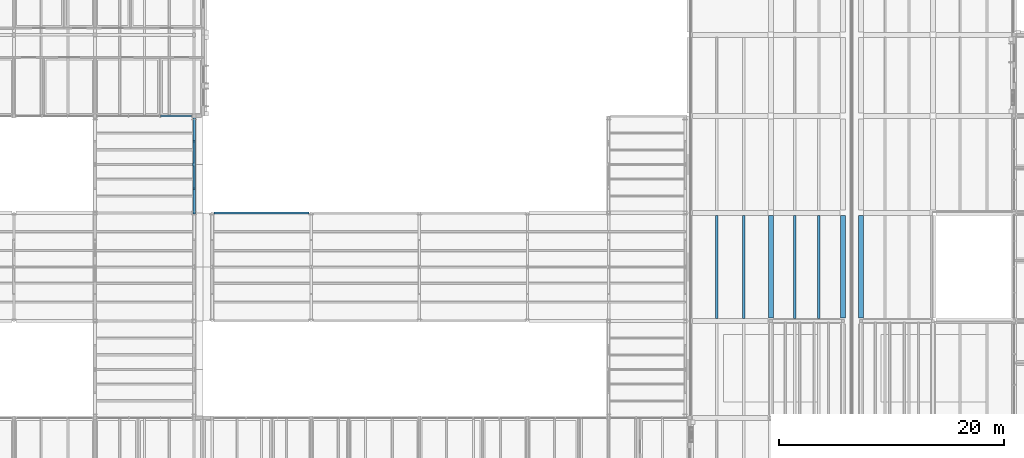
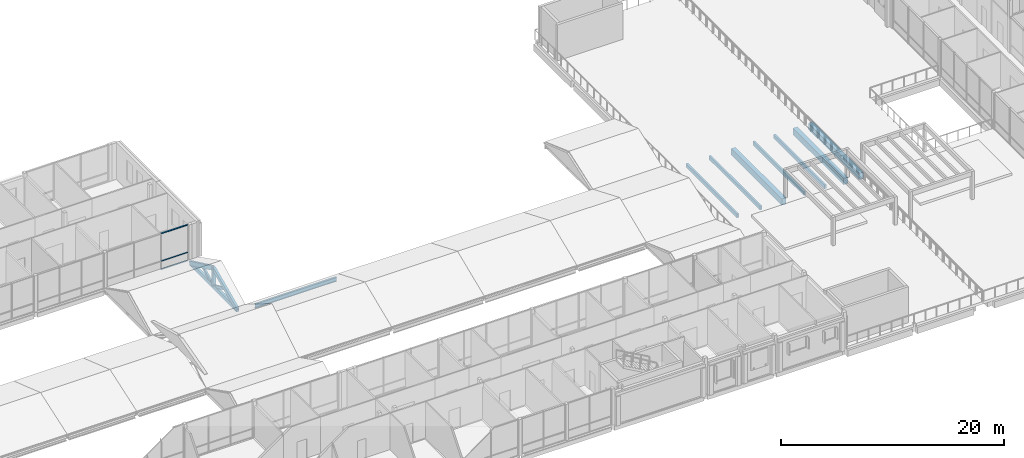
# One storey, part 43 of 115: 9 members, 8 beams, 1 element without a shape of its own.
"""IFC4 building model written with IfcOpenShell, lengths in metres."""

from ifc_helpers import new_model, si_unit, direction, frame, origin, origin_2d, place, context, subcontext, project, spatial, rectangle, hollow_rectangle, i_section, extrude, material, material_profile, profile_set, type_object, element, aggregate, save


model = new_model("IFC4")

# Units and contexts
model_context = context("Model", 3, precision=1e-05, world=origin(), true_north=direction((0.0, 1.0)))
body_context = subcontext(model_context, "Body", "Model", "MODEL_VIEW")
ifc_project = project(units=[si_unit("LENGTHUNIT", "METRE"), si_unit("AREAUNIT", "SQUARE_METRE"), si_unit("VOLUMEUNIT", "CUBIC_METRE"), si_unit("PLANEANGLEUNIT", "RADIAN"), si_unit("MASSUNIT", "GRAM", prefix="KILO")], contexts=[model_context])

# Site, building, storey
site_placement = place(None, origin())
site = spatial("IfcSite", under=ifc_project, at=site_placement, CompositionType="ELEMENT")
building_placement = place(site_placement, origin())
building = spatial("IfcBuilding", under=site, at=building_placement, Name="Hawrajan Terrace Health Centre", CompositionType="ELEMENT")
storey_placement = place(building_placement, frame((0.0, 0.0, 9.0)))
storey = spatial("IfcBuildingStorey", under=building, at=storey_placement, Name="L02", CompositionType="ELEMENT", Elevation=9.0)

# Curtain wall, members
ifc_material_1 = material(Name="Anodized bronze aluminium and low-E solar glazing", Category="aluminium")
curtain_wall_type = type_object("IfcCurtainWallType", Name="CW_Clerestory_SeriesG1", PredefinedType="USERDEFINED", material=ifc_material_1)
curtain_wall_placement = place(storey_placement, origin())
curtain_wall = element("IfcCurtainWall", 1, at=curtain_wall_placement, inside=storey, type_object=curtain_wall_type, Name="Curtain wall CW-L02-136", ObjectType="UNITISED CURTAIN WALL", PredefinedType="USERDEFINED")
ifc_material_2 = material(Name="Anodized bronze aluminium 6063-T6", Category="aluminium")
ifc_material_profile_1 = material_profile(ifc_material_2, hollow_rectangle(XDim=0.06494140625, YDim=0.14990234375, WallThickness=0.00390625, at=origin_2d()), Name="CW TRN 65x150")
ifc_profile_set_1 = profile_set([ifc_material_profile_1], Name="Anodized bronze aluminium 6063-T6")
member_type_1 = type_object("IfcMemberType", Name="CWTransom_65x150", PredefinedType="USERDEFINED", material=ifc_profile_set_1)
member_1_placement = place(storey_placement, frame((68.022216796875, 45.39990234375, 0.032470703125), z_axis=(1.0, 0.0, 0.0), x_axis=(0.0, 0.0, 1.0)))
member_1 = element("IfcMember", 2, at=member_1_placement, type_object=member_type_1, Name="Transom CW-L02-136-T3-1", ObjectType="TRANSOM", PredefinedType="USERDEFINED", context=body_context, shape_type="SweptSolid", body=[
    extrude(hollow_rectangle(XDim=0.06494140625, YDim=0.14990234375, WallThickness=0.00390625, at=origin_2d()), origin(), (0.0, 0.0, 1.0), 2.7587890625),
])
member_2_placement = place(storey_placement, frame((68.022216796875, 45.39990234375, 0.949951171875), z_axis=(1.0, 0.0, 0.0), x_axis=(0.0, 0.0, 1.0)))
member_2 = element("IfcMember", 3, at=member_2_placement, type_object=member_type_1, Name="Transom CW-L02-136-T3-2", ObjectType="TRANSOM", PredefinedType="USERDEFINED", context=body_context, shape_type="SweptSolid", body=[
    extrude(hollow_rectangle(XDim=0.06494140625, YDim=0.14990234375, WallThickness=0.00390625, at=origin_2d()), origin(), (0.0, 0.0, 1.0), 2.7587890625),
])
member_3_placement = place(storey_placement, frame((68.022216796875, 45.39990234375, 3.947509765625), z_axis=(1.0, 0.0, 0.0), x_axis=(0.0, 0.0, 1.0)))
member_3 = element("IfcMember", 4, at=member_3_placement, type_object=member_type_1, Name="Transom CW-L02-136-T3-3", ObjectType="TRANSOM", PredefinedType="USERDEFINED", context=body_context, shape_type="SweptSolid", body=[
    extrude(hollow_rectangle(XDim=0.06494140625, YDim=0.14990234375, WallThickness=0.00390625, at=origin_2d()), origin(), (0.0, 0.0, 1.0), 2.7587890625),
])
aggregate(curtain_wall, [member_1, member_2, member_3])

# Beams
ifc_material_3 = material(Name="Glulam GL28h", Category="wood")
ifc_material_profile_2 = material_profile(ifc_material_3, rectangle(XDim=0.199951171875, YDim=0.419921875, at=origin_2d()), Name="GL JST 200x420")
ifc_profile_set_2 = profile_set([ifc_material_profile_2], Name="Glulam GL28h")
beam_type_1 = type_object("IfcBeamType", Name="GlulamJoist_200x420", PredefinedType="JOIST", material=ifc_profile_set_2)
for number, where, z_axis, x_axis, name in (
    (5, (117.39990234375, 27.425048828125, -0.489990234375), (0.0, 1.0, 0.0), (-1.0, 0.0, 0.0), "Secondary joist JST-L02-C-15-4-1"),
    (6, (119.800048828125, 27.425048828125, -0.489990234375), (0.0, 1.0, 0.0), (-1.0, 0.0, 0.0), "Secondary joist JST-L02-C-15-4-2"),
    (7, (124.333251953125, 27.425048828125, -0.489990234375), (0.0, 1.0, 0.0), (-1.0, 0.0, 0.0), "Secondary joist JST-L02-C-16-4-1"),
    (8, (126.466796875, 27.425048828125, -0.489990234375), (0.0, 1.0, 0.0), (-1.0, 0.0, 0.0), "Secondary joist JST-L02-C-16-4-2"),
):
    element("IfcBeam", number, at=place(storey_placement, frame(where, z_axis=z_axis, x_axis=x_axis)), inside=storey, type_object=beam_type_1, Name=name, PredefinedType="JOIST", context=body_context, shape_type="SweptSolid", body=[
        extrude(rectangle(XDim=0.199951171875, YDim=0.419921875, at=origin_2d()), origin(), (0.0, 0.0, 1.0), 9.14990234375),
    ])
ifc_material_4 = material(Name="Concrete C40/50", Category="concrete")
ifc_material_profile_3 = material_profile(ifc_material_4, rectangle(XDim=0.449951171875, YDim=0.699951171875, at=origin_2d()), Name="RC BM 450x700")
ifc_profile_set_3 = profile_set([ifc_material_profile_3], Name="Concrete C40/50")
beam_type_2 = type_object("IfcBeamType", Name="RCGirder_450x700", PredefinedType="BEAM", material=ifc_profile_set_3)
for number, where, z_axis, x_axis, name in (
    (9, (122.199951171875, 27.449951171875, -0.6298828125), (0.0, 1.0, 0.0), (-1.0, 0.0, 0.0), "Beam BM-Y-L02-C-X16-4"),
    (10, (128.60009765625, 27.449951171875, -0.6298828125), (0.0, 1.0, 0.0), (-1.0, 0.0, 0.0), "Beam BM-Y-L02-C-X17-4"),
    (11, (130.199951171875, 27.449951171875, -0.6298828125), (0.0, 1.0, 0.0), (-1.0, 0.0, 0.0), "Beam BM-Y-L02-E-X17-4"),
):
    element("IfcBeam", number, at=place(storey_placement, frame(where, z_axis=z_axis, x_axis=x_axis)), inside=storey, type_object=beam_type_2, Name=name, PredefinedType="BEAM", context=body_context, shape_type="SweptSolid", body=[
        extrude(rectangle(XDim=0.449951171875, YDim=0.699951171875, at=origin_2d()), origin(), (0.0, 0.0, 1.0), 9.10009765625),
    ])
ifc_material_5 = material(Name="Steel S355", Category="steel")
ifc_material_profile_4 = material_profile(ifc_material_5, i_section(OverallWidth=0.18994140625, OverallDepth=0.449951171875, WebThickness=0.009521484375, FlangeThickness=0.0146484375, FilletRadius=0.02099609375, at=origin_2d()), Name="IPE 450")
ifc_profile_set_4 = profile_set([ifc_material_profile_4], Name="Steel S355")
beam_type_3 = type_object("IfcBeamType", Name="SteelBeam_IPE450", PredefinedType="BEAM", material=ifc_profile_set_4)
beam_placement = place(storey_placement, frame((72.780029296875, 36.800048828125, -0.425048828125), z_axis=(1.0, 0.0, 0.0), x_axis=(0.0, 1.0, 0.0)))
element("IfcBeam", 12, at=beam_placement, inside=storey, type_object=beam_type_3, Name="Beam BM-X-L02-C-10-Y5", PredefinedType="BEAM", context=body_context, shape_type="SweptSolid", body=[
    extrude(i_section(OverallWidth=0.18994140625, OverallDepth=0.449951171875, WebThickness=0.009521484375, FlangeThickness=0.0146484375, FilletRadius=0.02099609375, at=origin_2d()), origin(), (0.0, 0.0, 1.0), 8.43994140625),
])

# Members
ifc_material_6 = material(Name="Glulam GL32h", Category="wood")
ifc_material_profile_5 = material_profile(ifc_material_6, rectangle(XDim=0.239990234375, YDim=0.43994140625, at=origin_2d()), Name="GL CHD 240x440")
ifc_profile_set_5 = profile_set([ifc_material_profile_5], Name="Glulam GL32h")
member_type_2 = type_object("IfcMemberType", Name="TrussChord_240x440", PredefinedType="CHORD", material=ifc_profile_set_5)
member_4_placement = place(storey_placement, frame((71.0, 36.800048828125, -0.219970703125), z_axis=(0.0, 1.0, 0.0), x_axis=(-1.0, 0.0, 0.0)))
element("IfcMember", 13, at=member_4_placement, inside=storey, type_object=member_type_2, Name="Glulam truss tie chord W-G10-TRL-NC", PredefinedType="CHORD", context=body_context, shape_type="SweptSolid", body=[
    extrude(rectangle(XDim=0.239990234375, YDim=0.43994140625, at=origin_2d()), origin(), (0.0, 0.0, 1.0), 8.43994140625),
])
member_5_placement = place(storey_placement, frame((71.0, 36.800048828125, -0.219970703125), z_axis=(0.0, 0.910676096681, 0.413121104439), x_axis=(-1.0, 0.0, 0.0)))
element("IfcMember", 14, at=member_5_placement, inside=storey, type_object=member_type_2, Name="Glulam truss south top chord W-G10-TRL-NC", PredefinedType="CHORD", context=body_context, shape_type="SweptSolid", body=[
    extrude(rectangle(XDim=0.239990234375, YDim=0.43994140625, at=origin_2d()), origin(), (0.0, 0.0, 1.0), 4.721923828125),
])
member_6_placement = place(storey_placement, frame((71.0, 41.10009765625, 1.730712890625), z_axis=(0.0, 0.904608225534, -0.426244012621), x_axis=(-1.0, 0.0, 0.0)))
element("IfcMember", 15, at=member_6_placement, inside=storey, type_object=member_type_2, Name="Glulam truss north top chord W-G10-TRL-NC", PredefinedType="CHORD", context=body_context, shape_type="SweptSolid", body=[
    extrude(rectangle(XDim=0.239990234375, YDim=0.43994140625, at=origin_2d()), origin(), (0.0, 0.0, 1.0), 4.576416015625),
])
ifc_material_profile_6 = material_profile(ifc_material_3, rectangle(XDim=0.280029296875, YDim=0.280029296875, at=origin_2d()), Name="GL KP 280x280")
ifc_profile_set_6 = profile_set([ifc_material_profile_6], Name="Glulam GL28h")
member_type_3 = type_object("IfcMemberType", Name="TrussKingPost_280x280", PredefinedType="STRUT", material=ifc_profile_set_6)
member_7_placement = place(storey_placement, frame((71.0, 41.10009765625, -0.219970703125), z_axis=(0.0, 0.0, 1.0), x_axis=(1.0, 0.0, 0.0)))
element("IfcMember", 16, at=member_7_placement, inside=storey, type_object=member_type_3, Name="Glulam truss king post W-G10-TRL-NC", PredefinedType="STRUT", context=body_context, shape_type="SweptSolid", body=[
    extrude(rectangle(XDim=0.280029296875, YDim=0.280029296875, at=origin_2d()), origin(), (0.0, 0.0, 1.0), 1.95068359375),
])
ifc_material_profile_7 = material_profile(ifc_material_3, rectangle(XDim=0.179931640625, YDim=0.280029296875, at=origin_2d()), Name="GL WEB 180x280")
ifc_profile_set_7 = profile_set([ifc_material_profile_7], Name="Glulam GL28h")
member_type_4 = type_object("IfcMemberType", Name="TrussStrut_180x280", PredefinedType="STRUT", material=ifc_profile_set_7)
member_8_placement = place(storey_placement, frame((71.0, 41.10009765625, -0.219970703125), z_axis=(0.0, -0.910684920462, 0.413101652918), x_axis=(1.0, 0.0, 0.0)))
element("IfcMember", 17, at=member_8_placement, inside=storey, type_object=member_type_4, Name="Glulam truss web strut S W-G10-TRL-NC", PredefinedType="STRUT", context=body_context, shape_type="SweptSolid", body=[
    extrude(rectangle(XDim=0.179931640625, YDim=0.280029296875, at=origin_2d()), origin(), (0.0, 0.0, 1.0), 2.361083984375),
])
member_9_placement = place(storey_placement, frame((71.0, 41.10009765625, -0.219970703125), z_axis=(0.0, 0.904598532505, 0.426264583316), x_axis=(-1.0, 0.0, 0.0)))
element("IfcMember", 18, at=member_9_placement, inside=storey, type_object=member_type_4, Name="Glulam truss web strut N W-G10-TRL-NC", PredefinedType="STRUT", context=body_context, shape_type="SweptSolid", body=[
    extrude(rectangle(XDim=0.179931640625, YDim=0.280029296875, at=origin_2d()), origin(), (0.0, 0.0, 1.0), 2.2880859375),
])

save(model, "model.ifc")
